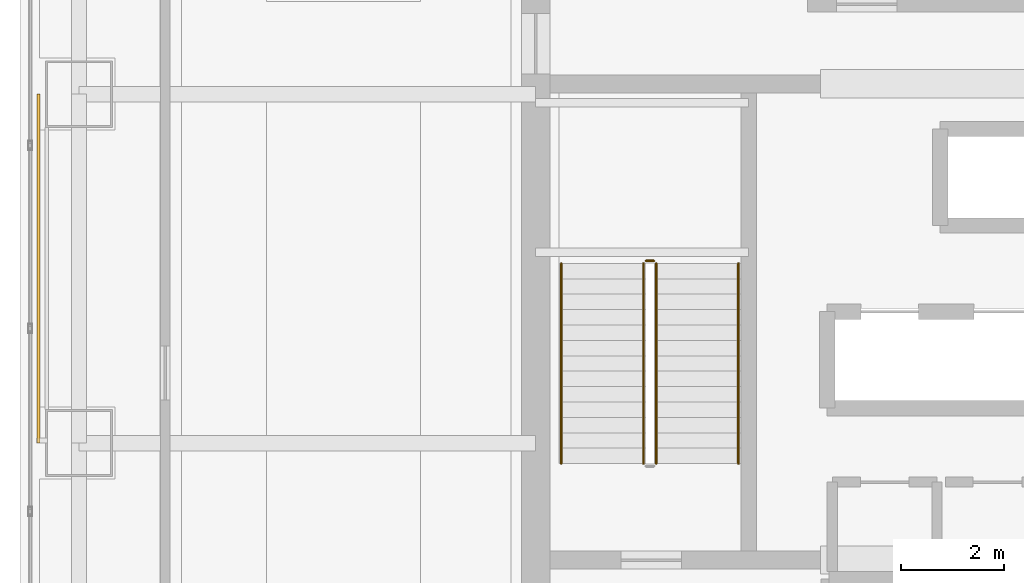
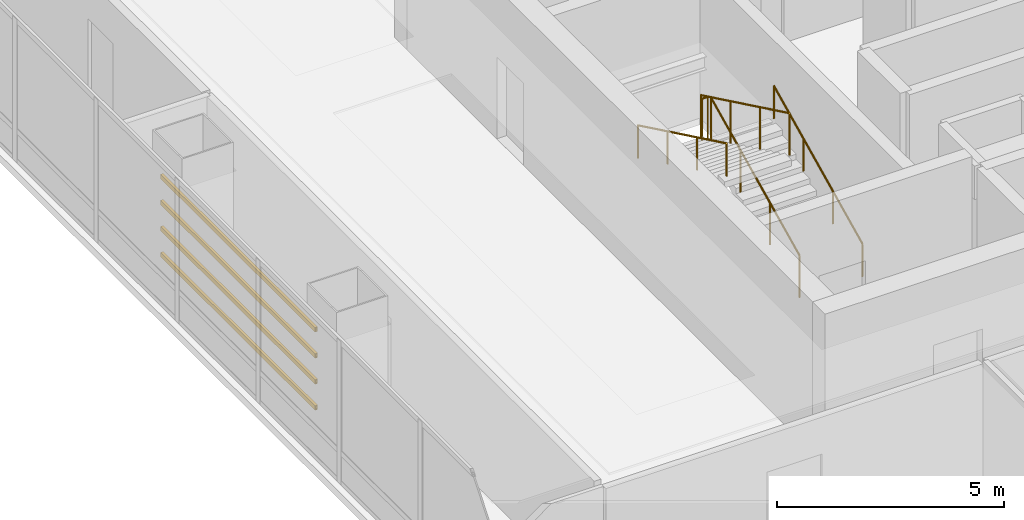
# One storey, part 39 of 42: 5 railings, 4 shading devices.
"""IFC4 building model written with IfcOpenShell, lengths in metres."""

from ifc_helpers import new_model, si_unit, direction, frame, origin, origin_2d, place, context, subcontext, project, spatial, hollow_rectangle, circle, extrude, material, material_profile, profile_set, type_object, element, save


model = new_model("IFC4")

# Units and contexts
model_context = context("Model", 3, precision=1e-05, world=origin(), true_north=direction((0.0, 1.0)))
body_context = subcontext(model_context, "Body", "Model", "MODEL_VIEW")
ifc_project = project(units=[si_unit("LENGTHUNIT", "METRE"), si_unit("AREAUNIT", "SQUARE_METRE"), si_unit("VOLUMEUNIT", "CUBIC_METRE"), si_unit("PLANEANGLEUNIT", "RADIAN"), si_unit("MASSUNIT", "GRAM", prefix="KILO")], contexts=[model_context])

# Site, building, storey
site_placement = place(None, origin())
site = spatial("IfcSite", under=ifc_project, at=site_placement, CompositionType="ELEMENT")
building_placement = place(site_placement, origin())
building = spatial("IfcBuilding", under=site, at=building_placement, Name="Punatoya Terracotta Tower", CompositionType="ELEMENT")
storey_placement = place(building_placement, frame((0.0, 0.0, 255.449951171875)))
storey = spatial("IfcBuildingStorey", under=building, at=storey_placement, Name="L60", CompositionType="ELEMENT", Elevation=255.449951171875)

# Railings
ifc_material_1 = material(Name="Steel S355", Category="steel")
railing_type_1 = type_object("IfcRailingType", Name="RLG-GRD-1150", PredefinedType="GUARDRAIL", material=ifc_material_1)
railing_1_placement = place(storey_placement, frame((-7.85009765625, -3.800048828125, 0.144775390625)))
element("IfcRailing", 1, at=railing_1_placement, inside=storey, type_object=railing_type_1, Name="L60 ST-1 stair guard 1", PredefinedType="GUARDRAIL", context=body_context, shape_type="SweptSolid", body=[
    extrude(circle(Radius=0.02392578125, at=origin_2d()), frame((0.0, 0.0, 1.1259765625), z_axis=(0.0, 0.900773802044, 0.434288564841), x_axis=(-1.0, 0.0, 0.0)), (0.0, 0.0, 1.0), 4.329833984375),
    extrude(circle(Radius=0.02099609375, at=origin_2d()), origin(), (0.0, 0.0, 1.0), 1.101806640625),
    extrude(circle(Radius=0.02099609375, at=origin_2d()), frame((0.0, 1.300048828125, 0.626708984375)), (0.0, 0.0, 1.0), 1.101806640625),
    extrude(circle(Radius=0.02099609375, at=origin_2d()), frame((0.0, 2.60009765625, 1.253662109375)), (0.0, 0.0, 1.0), 1.101806640625),
    extrude(circle(Radius=0.02099609375, at=origin_2d()), frame((0.0, 3.900146484375, 1.88037109375)), (0.0, 0.0, 1.0), 1.101806640625),
])
railing_2_placement = place(storey_placement, frame((-7.89990234375, 0.14990234375, 2.025146484375)))
element("IfcRailing", 2, at=railing_2_placement, inside=storey, type_object=railing_type_1, Name="L60 ST-1 stair guard 2", PredefinedType="GUARDRAIL", context=body_context, shape_type="SweptSolid", body=[
    extrude(circle(Radius=0.02392578125, at=origin_2d()), frame((0.0, 0.0, 1.1259765625), z_axis=(-1.0, 0.0, 0.0), x_axis=(0.0, -1.0, 0.0)), (0.0, 0.0, 1.0), 0.150146484375),
    extrude(circle(Radius=0.02099609375, at=origin_2d()), origin(), (0.0, 0.0, 1.0), 1.101806640625),
    extrude(circle(Radius=0.02099609375, at=origin_2d()), frame((-0.150146484375, 0.0, 0.0)), (0.0, 0.0, 1.0), 1.101806640625),
])
railing_3_placement = place(storey_placement, frame((-8.10009765625, 0.10009765625, 2.169677734375)))
element("IfcRailing", 3, at=railing_3_placement, inside=storey, type_object=railing_type_1, Name="L60 ST-1 stair guard 3", PredefinedType="GUARDRAIL", context=body_context, shape_type="SweptSolid", body=[
    extrude(circle(Radius=0.02392578125, at=origin_2d()), frame((0.0, 0.0, 1.1259765625), z_axis=(0.0, -0.900773802044, 0.434288564841), x_axis=(1.0, 0.0, 0.0)), (0.0, 0.0, 1.0), 4.329833984375),
    extrude(circle(Radius=0.02099609375, at=origin_2d()), origin(), (0.0, 0.0, 1.0), 1.101806640625),
    extrude(circle(Radius=0.02099609375, at=origin_2d()), frame((0.0, -1.300048828125, 0.626708984375)), (0.0, 0.0, 1.0), 1.101806640625),
    extrude(circle(Radius=0.02099609375, at=origin_2d()), frame((0.0, -2.60009765625, 1.253662109375)), (0.0, 0.0, 1.0), 1.101806640625),
    extrude(circle(Radius=0.02099609375, at=origin_2d()), frame((0.0, -3.900146484375, 1.88037109375)), (0.0, 0.0, 1.0), 1.101806640625),
])
railing_type_2 = type_object("IfcRailingType", Name="RLG-HND-900", PredefinedType="HANDRAIL", material=ifc_material_1)
railing_4_placement = place(storey_placement, frame((-6.25, -3.800048828125, 0.144775390625)))
element("IfcRailing", 4, at=railing_4_placement, inside=storey, type_object=railing_type_2, Name="L60 ST-1 stair handrail 1", PredefinedType="HANDRAIL", context=body_context, shape_type="SweptSolid", body=[
    extrude(circle(Radius=0.02392578125, at=origin_2d()), frame((0.0, 0.0, 0.8759765625), z_axis=(0.0, 0.900773802044, 0.434288564841), x_axis=(-1.0, 0.0, 0.0)), (0.0, 0.0, 1.0), 4.329833984375),
    extrude(circle(Radius=0.02099609375, at=origin_2d()), origin(), (0.0, 0.0, 1.0), 0.851806640625),
    extrude(circle(Radius=0.02099609375, at=origin_2d()), frame((0.0, 1.300048828125, 0.626708984375)), (0.0, 0.0, 1.0), 0.851806640625),
    extrude(circle(Radius=0.02099609375, at=origin_2d()), frame((0.0, 2.60009765625, 1.253662109375)), (0.0, 0.0, 1.0), 0.851806640625),
    extrude(circle(Radius=0.02099609375, at=origin_2d()), frame((0.0, 3.900146484375, 1.88037109375)), (0.0, 0.0, 1.0), 0.851806640625),
])
railing_5_placement = place(storey_placement, frame((-9.699951171875, 0.10009765625, 2.169677734375)))
element("IfcRailing", 5, at=railing_5_placement, inside=storey, type_object=railing_type_2, Name="L60 ST-1 stair handrail 2", PredefinedType="HANDRAIL", context=body_context, shape_type="SweptSolid", body=[
    extrude(circle(Radius=0.02392578125, at=origin_2d()), frame((0.0, 0.0, 0.8759765625), z_axis=(0.0, -0.900773802044, 0.434288564841), x_axis=(1.0, 0.0, 0.0)), (0.0, 0.0, 1.0), 4.329833984375),
    extrude(circle(Radius=0.02099609375, at=origin_2d()), origin(), (0.0, 0.0, 1.0), 0.851806640625),
    extrude(circle(Radius=0.02099609375, at=origin_2d()), frame((0.0, -1.300048828125, 0.626708984375)), (0.0, 0.0, 1.0), 0.851806640625),
    extrude(circle(Radius=0.02099609375, at=origin_2d()), frame((0.0, -2.60009765625, 1.253662109375)), (0.0, 0.0, 1.0), 0.851806640625),
    extrude(circle(Radius=0.02099609375, at=origin_2d()), frame((0.0, -3.900146484375, 1.88037109375)), (0.0, 0.0, 1.0), 0.851806640625),
])

# Shading devices
ifc_material_2 = material(Name="Architectural Fired Terracotta", Category="masonry")
ifc_material_profile = material_profile(ifc_material_2, hollow_rectangle(XDim=0.06494140625, YDim=0.1201171875, WallThickness=0.014892578125, at=origin_2d()))
ifc_profile_set = profile_set([ifc_material_profile], Name="Architectural Fired Terracotta")
shading_device_type = type_object("IfcShadingDeviceType", Name="SHD-BAG-120", PredefinedType="USERDEFINED", material=ifc_profile_set)
for number, where, z_axis, x_axis, name in (
    (6, (-19.889892578125, -3.39990234375, 1.150146484375), (0.0, 1.0, 0.0), (-1.0, 0.0, 0.0), "L60 Fired Terracotta Baguette Louvre BAG-L60-W-01"),
    (7, (-19.889892578125, -3.39990234375, 1.85009765625), (0.0, 1.0, 0.0), (-1.0, 0.0, 0.0), "L60 Fired Terracotta Baguette Louvre BAG-L60-W-02"),
    (8, (-19.889892578125, -3.39990234375, 2.550048828125), (0.0, 1.0, 0.0), (-1.0, 0.0, 0.0), "L60 Fired Terracotta Baguette Louvre BAG-L60-W-03"),
    (9, (-19.889892578125, -3.39990234375, 3.25), (0.0, 1.0, 0.0), (-1.0, 0.0, 0.0), "L60 Fired Terracotta Baguette Louvre BAG-L60-W-04"),
):
    element("IfcShadingDevice", number, at=place(storey_placement, frame(where, z_axis=z_axis, x_axis=x_axis)), inside=storey, type_object=shading_device_type, Name=name, ObjectType="BAGUETTE", PredefinedType="USERDEFINED", context=body_context, shape_type="SweptSolid", body=[
        extrude(hollow_rectangle(XDim=0.06494140625, YDim=0.1201171875, WallThickness=0.014892578125, at=origin_2d()), origin(), (0.0, 0.0, 1.0), 6.7998046875),
    ])

save(model, "model.ifc")
